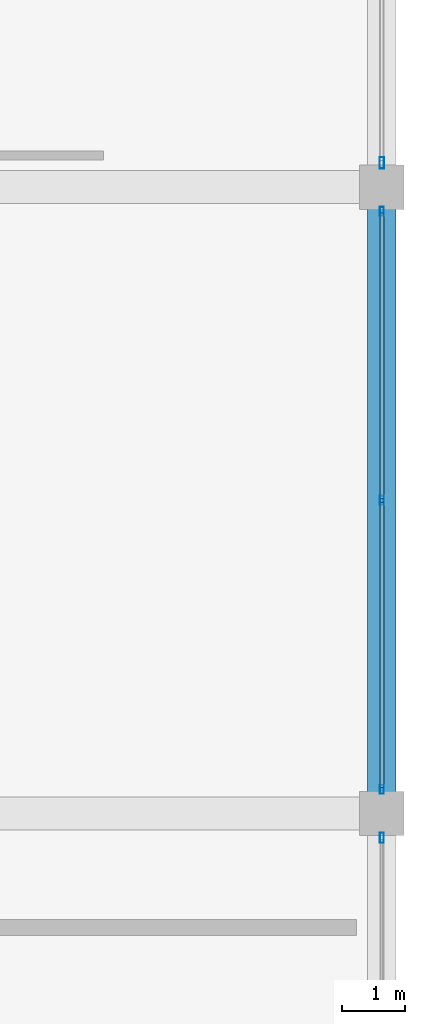
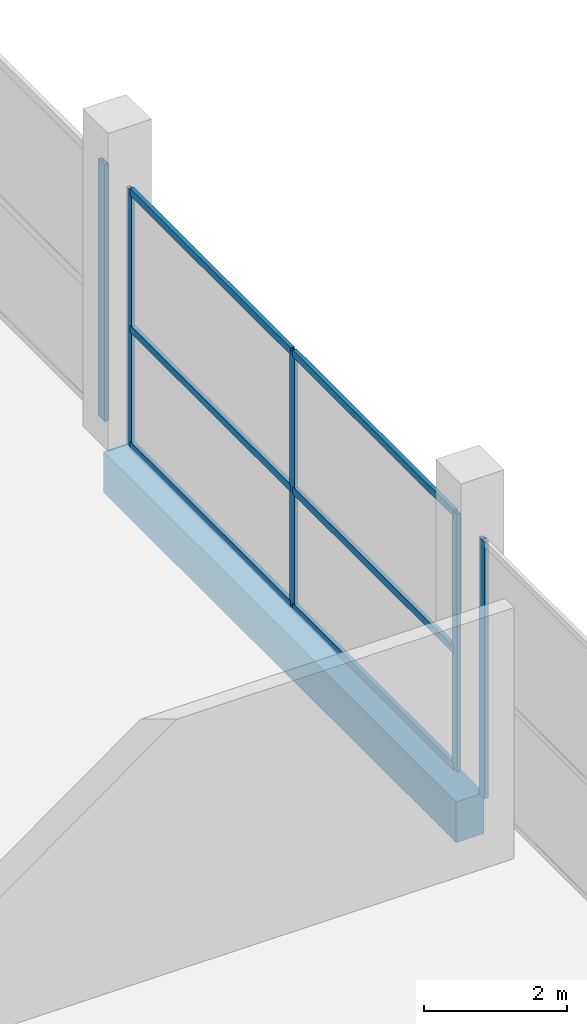
# One storey, part 38 of 74: 11 members, 1 beam, 3 elements without a shape of their own.
"""IFC4 building model written with IfcOpenShell, lengths in metres."""

from ifc_helpers import new_model, si_unit, direction, frame, origin, origin_2d, place, context, subcontext, project, spatial, rectangle, hollow_rectangle, extrude, material, layer, layer_set, material_profile, profile_set, type_object, element, aggregate, save


model = new_model("IFC4")

# Units and contexts
model_context = context("Model", 3, precision=1e-05, world=origin(), true_north=direction((0.0, 1.0)))
body_context = subcontext(model_context, "Body", "Model", "MODEL_VIEW")
ifc_project = project(units=[si_unit("LENGTHUNIT", "METRE"), si_unit("AREAUNIT", "SQUARE_METRE"), si_unit("VOLUMEUNIT", "CUBIC_METRE"), si_unit("PLANEANGLEUNIT", "RADIAN"), si_unit("MASSUNIT", "GRAM", prefix="KILO")], contexts=[model_context])

# Site, building, storey
site_placement = place(None, origin())
site = spatial("IfcSite", under=ifc_project, at=site_placement, CompositionType="ELEMENT")
building_placement = place(site_placement, origin())
building = spatial("IfcBuilding", under=site, at=building_placement, Name="Sillaruma Civic Art Gallery", CompositionType="ELEMENT")
storey_placement = place(building_placement, frame((0.0, 0.0, 5.43994140625)))
storey = spatial("IfcBuildingStorey", under=building, at=storey_placement, Name="L01", CompositionType="ELEMENT", Elevation=5.43994140625)

# Beam
ifc_material_1 = material(Name="Concrete H35 (35 MPa)", Category="concrete")
ifc_material_profile_1 = material_profile(ifc_material_1, rectangle(XDim=0.449951171875, YDim=0.699951171875, at=origin_2d()), Name="RCB450x700")
ifc_profile_set_1 = profile_set([ifc_material_profile_1], Name="Concrete H35 (35 MPa)")
beam_type = type_object("IfcBeamType", Name="BM-SPANDREL-RCB450x700", PredefinedType="SPANDREL", material=ifc_profile_set_1)
beam_placement = place(storey_placement, frame((176.39990234375, 19.800048828125, -0.60986328125), z_axis=(0.0, 1.0, 0.0), x_axis=(-1.0, 0.0, 0.0)))
element("IfcBeam", 1, at=beam_placement, inside=storey, type_object=beam_type, Name="Beam BS-03 (L00:T:3-4)", PredefinedType="SPANDREL", context=body_context, shape_type="SweptSolid", body=[
    extrude(rectangle(XDim=0.449951171875, YDim=0.699951171875, at=origin_2d()), origin(), (0.0, 0.0, 1.0), 9.89990234375),
])

# Curtain wall, members
ifc_material_2 = material(Name="Thermally Broken Extruded Aluminium 6063-T6", Category="aluminium")
ifc_layer_1 = layer(ifc_material_2, 0.139892578125, Name="Thermally Broken Extruded Aluminium 6063-T6")
ifc_layer_set_1 = layer_set([ifc_layer_1], Name="Thermally Broken Extruded Aluminium 6063-T6")
curtain_wall_type_1 = type_object("IfcCurtainWallType", Name="CW-UNI-11", PredefinedType="NOTDEFINED", material=ifc_layer_set_1)
curtain_wall_1_placement = place(storey_placement, origin())
curtain_wall_1 = element("IfcCurtainWall", 2, at=curtain_wall_1_placement, inside=storey, type_object=curtain_wall_type_1, Name="Unitised Curtain Wall CW-11 (CW-L01-ESTR-3)", PredefinedType="NOTDEFINED")
ifc_material_profile_2 = material_profile(ifc_material_2, hollow_rectangle(XDim=0.06005859375, YDim=0.139892578125, WallThickness=0.00341796875, at=origin_2d()), Name="CWM60x140")
ifc_profile_set_2 = profile_set([ifc_material_profile_2], Name="Thermally Broken Extruded Aluminium 6063-T6")
member_type_1 = type_object("IfcMemberType", Name="MEM-MUL-CWM60x140", PredefinedType="MULLION", material=ifc_profile_set_2)
member_1_placement = place(storey_placement, frame((176.39990234375, 20.179931640625, 0.0), z_axis=(0.0, 0.0, 1.0), x_axis=(-1.0, 0.0, 0.0)))
member_1 = element("IfcMember", 3, at=member_1_placement, type_object=member_type_1, Name="CW-11 mullion 1", PredefinedType="MULLION", context=body_context, shape_type="SweptSolid", body=[
    extrude(hollow_rectangle(XDim=0.06005859375, YDim=0.139892578125, WallThickness=0.00341796875, at=origin_2d()), origin(), (0.0, 0.0, 1.0), 4.400146484375),
])
member_2_placement = place(storey_placement, frame((176.39990234375, 24.75, 0.0), z_axis=(0.0, 0.0, 1.0), x_axis=(-1.0, 0.0, 0.0)))
member_2 = element("IfcMember", 4, at=member_2_placement, type_object=member_type_1, Name="CW-11 mullion 2", PredefinedType="MULLION", context=body_context, shape_type="SweptSolid", body=[
    extrude(hollow_rectangle(XDim=0.06005859375, YDim=0.139892578125, WallThickness=0.00341796875, at=origin_2d()), origin(), (0.0, 0.0, 1.0), 4.400146484375),
])
member_3_placement = place(storey_placement, frame((176.39990234375, 29.320068359375, 0.0), z_axis=(0.0, 0.0, 1.0), x_axis=(-1.0, 0.0, 0.0)))
member_3 = element("IfcMember", 5, at=member_3_placement, type_object=member_type_1, Name="CW-11 mullion 3", PredefinedType="MULLION", context=body_context, shape_type="SweptSolid", body=[
    extrude(hollow_rectangle(XDim=0.06005859375, YDim=0.139892578125, WallThickness=0.00341796875, at=origin_2d()), origin(), (0.0, 0.0, 1.0), 4.400146484375),
])

# Curtain wall, member
ifc_layer_2 = layer(ifc_material_2, 0.159912109375, Name="Thermally Broken Extruded Aluminium 6063-T6")
ifc_layer_set_2 = layer_set([ifc_layer_2], Name="Thermally Broken Extruded Aluminium 6063-T6")
curtain_wall_type_2 = type_object("IfcCurtainWallType", Name="CW-UNI-10", PredefinedType="NOTDEFINED", material=ifc_layer_set_2)
curtain_wall_2_placement = place(storey_placement, origin())
curtain_wall_2 = element("IfcCurtainWall", 6, at=curtain_wall_2_placement, inside=storey, type_object=curtain_wall_type_2, Name="Unitised Curtain Wall CW-10 (CW-L01-ESTR-2)", PredefinedType="NOTDEFINED")
ifc_material_profile_3 = material_profile(ifc_material_2, hollow_rectangle(XDim=0.06494140625, YDim=0.159912109375, WallThickness=0.00390625, at=origin_2d()), Name="CWM65x160")
ifc_profile_set_3 = profile_set([ifc_material_profile_3], Name="Thermally Broken Extruded Aluminium 6063-T6")
member_type_2 = type_object("IfcMemberType", Name="MEM-MUL-CWM65x160", PredefinedType="MULLION", material=ifc_profile_set_3)
member_4_placement = place(storey_placement, frame((176.39990234375, 19.41748046875, 0.0), z_axis=(0.0, 0.0, 1.0), x_axis=(-1.0, 0.0, 0.0)))
member_4 = element("IfcMember", 7, at=member_4_placement, type_object=member_type_2, Name="CW-10 mullion 3", PredefinedType="MULLION", context=body_context, shape_type="SweptSolid", body=[
    extrude(hollow_rectangle(XDim=0.06494140625, YDim=0.159912109375, WallThickness=0.00390625, at=origin_2d()), origin(), (0.0, 0.0, 1.0), 4.400146484375),
])
aggregate(curtain_wall_2, [member_4])

ifc_layer_3 = layer(ifc_material_2, 0.179931640625, Name="Thermally Broken Extruded Aluminium 6063-T6")
ifc_layer_set_3 = layer_set([ifc_layer_3], Name="Thermally Broken Extruded Aluminium 6063-T6")
curtain_wall_type_3 = type_object("IfcCurtainWallType", Name="CW-UNI-12", PredefinedType="NOTDEFINED", material=ifc_layer_set_3)
curtain_wall_3_placement = place(storey_placement, origin())
curtain_wall_3 = element("IfcCurtainWall", 8, at=curtain_wall_3_placement, inside=storey, type_object=curtain_wall_type_3, Name="Unitised Curtain Wall CW-12 (CW-L01-ESTR-4)", PredefinedType="NOTDEFINED")
ifc_material_profile_4 = material_profile(ifc_material_2, hollow_rectangle(XDim=0.070068359375, YDim=0.179931640625, WallThickness=0.00390625, at=origin_2d()), Name="CWM70x180")
ifc_profile_set_4 = profile_set([ifc_material_profile_4], Name="Thermally Broken Extruded Aluminium 6063-T6")
member_type_3 = type_object("IfcMemberType", Name="MEM-MUL-CWM70x180", PredefinedType="MULLION", material=ifc_profile_set_4)
member_5_placement = place(storey_placement, frame((176.39990234375, 30.0849609375, 0.0), z_axis=(0.0, 0.0, 1.0), x_axis=(-1.0, 0.0, 0.0)))
member_5 = element("IfcMember", 9, at=member_5_placement, type_object=member_type_3, Name="CW-12 mullion 1", PredefinedType="MULLION", context=body_context, shape_type="SweptSolid", body=[
    extrude(hollow_rectangle(XDim=0.070068359375, YDim=0.179931640625, WallThickness=0.00390625, at=origin_2d()), origin(), (0.0, 0.0, 1.0), 4.400146484375),
])
aggregate(curtain_wall_3, [member_5])

# Member
ifc_material_profile_5 = material_profile(ifc_material_2, hollow_rectangle(XDim=0.06494140625, YDim=0.1201171875, WallThickness=0.00341796875, at=origin_2d()), Name="CWT65x120")
ifc_profile_set_5 = profile_set([ifc_material_profile_5], Name="Thermally Broken Extruded Aluminium 6063-T6")
member_type_4 = type_object("IfcMemberType", Name="MEM-TRN-CWT65x120", PredefinedType="USERDEFINED", material=ifc_profile_set_5)
member_6_placement = place(storey_placement, frame((176.39990234375, 20.2099609375, 0.032470703125), z_axis=(0.0, 1.0, 0.0), x_axis=(-1.0, 0.0, 0.0)))
member_6 = element("IfcMember", 10, at=member_6_placement, type_object=member_type_4, Name="CW-11 transom 1.1", ObjectType="TRANSOM", PredefinedType="USERDEFINED", context=body_context, shape_type="SweptSolid", body=[
    extrude(hollow_rectangle(XDim=0.06494140625, YDim=0.1201171875, WallThickness=0.00341796875, at=origin_2d()), origin(), (0.0, 0.0, 1.0), 4.510009765625),
])

member_7_placement = place(storey_placement, frame((176.39990234375, 20.2099609375, 2.024169921875), z_axis=(0.0, 1.0, 0.0), x_axis=(-1.0, 0.0, 0.0)))
member_7 = element("IfcMember", 11, at=member_7_placement, type_object=member_type_4, Name="CW-11 transom 1.2", ObjectType="TRANSOM", PredefinedType="USERDEFINED", context=body_context, shape_type="SweptSolid", body=[
    extrude(hollow_rectangle(XDim=0.06494140625, YDim=0.1201171875, WallThickness=0.00341796875, at=origin_2d()), origin(), (0.0, 0.0, 1.0), 4.510009765625),
])

member_8_placement = place(storey_placement, frame((176.39990234375, 20.2099609375, 4.36767578125), z_axis=(0.0, 1.0, 0.0), x_axis=(-1.0, 0.0, 0.0)))
member_8 = element("IfcMember", 12, at=member_8_placement, type_object=member_type_4, Name="CW-11 transom 1.3", ObjectType="TRANSOM", PredefinedType="USERDEFINED", context=body_context, shape_type="SweptSolid", body=[
    extrude(hollow_rectangle(XDim=0.06494140625, YDim=0.1201171875, WallThickness=0.00341796875, at=origin_2d()), origin(), (0.0, 0.0, 1.0), 4.510009765625),
])

member_9_placement = place(storey_placement, frame((176.39990234375, 24.780029296875, 0.032470703125), z_axis=(0.0, 1.0, 0.0), x_axis=(-1.0, 0.0, 0.0)))
member_9 = element("IfcMember", 13, at=member_9_placement, type_object=member_type_4, Name="CW-11 transom 2.1", ObjectType="TRANSOM", PredefinedType="USERDEFINED", context=body_context, shape_type="SweptSolid", body=[
    extrude(hollow_rectangle(XDim=0.06494140625, YDim=0.1201171875, WallThickness=0.00341796875, at=origin_2d()), origin(), (0.0, 0.0, 1.0), 4.510009765625),
])

member_10_placement = place(storey_placement, frame((176.39990234375, 24.780029296875, 2.024169921875), z_axis=(0.0, 1.0, 0.0), x_axis=(-1.0, 0.0, 0.0)))
member_10 = element("IfcMember", 14, at=member_10_placement, type_object=member_type_4, Name="CW-11 transom 2.2", ObjectType="TRANSOM", PredefinedType="USERDEFINED", context=body_context, shape_type="SweptSolid", body=[
    extrude(hollow_rectangle(XDim=0.06494140625, YDim=0.1201171875, WallThickness=0.00341796875, at=origin_2d()), origin(), (0.0, 0.0, 1.0), 4.510009765625),
])

member_11_placement = place(storey_placement, frame((176.39990234375, 24.780029296875, 4.36767578125), z_axis=(0.0, 1.0, 0.0), x_axis=(-1.0, 0.0, 0.0)))
member_11 = element("IfcMember", 15, at=member_11_placement, type_object=member_type_4, Name="CW-11 transom 2.3", ObjectType="TRANSOM", PredefinedType="USERDEFINED", context=body_context, shape_type="SweptSolid", body=[
    extrude(hollow_rectangle(XDim=0.06494140625, YDim=0.1201171875, WallThickness=0.00341796875, at=origin_2d()), origin(), (0.0, 0.0, 1.0), 4.510009765625),
])

aggregate(curtain_wall_1, [member_1, member_2, member_3, member_6, member_7, member_8, member_9, member_10, member_11])

save(model, "model.ifc")
